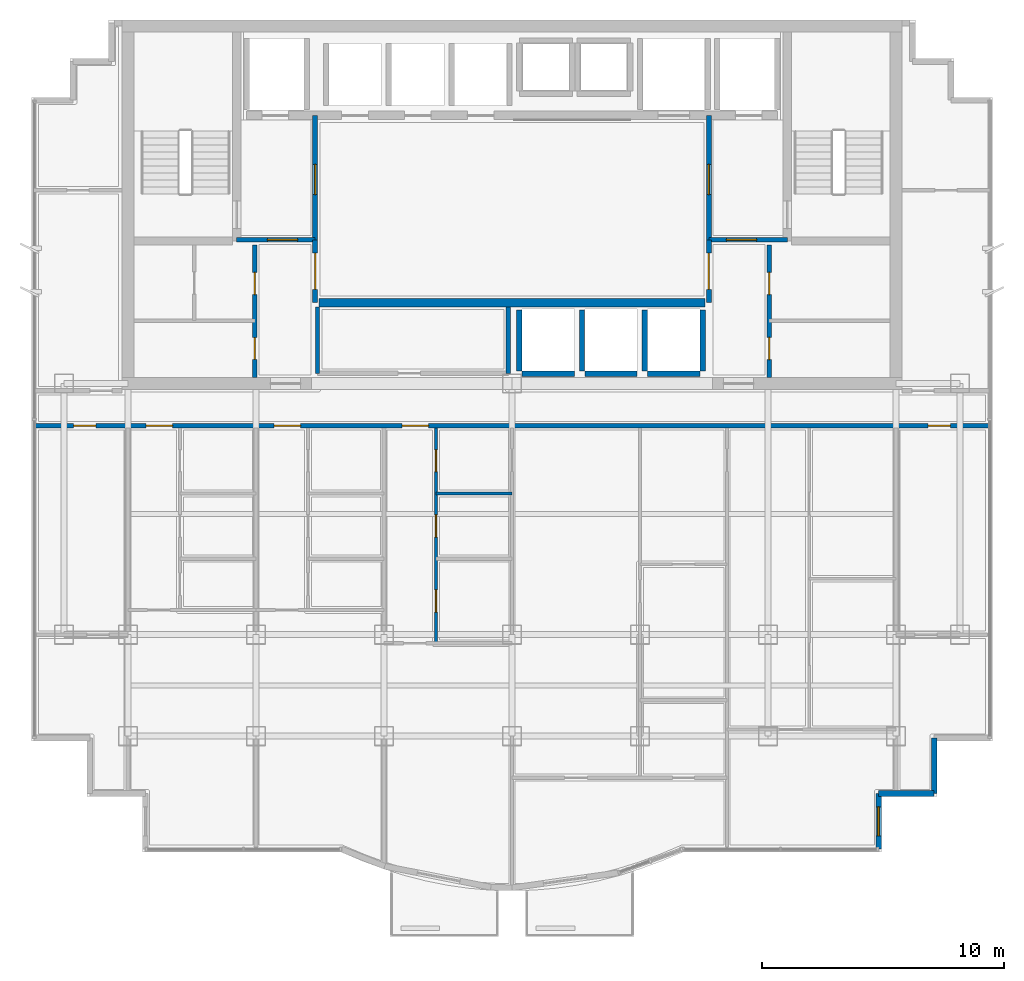
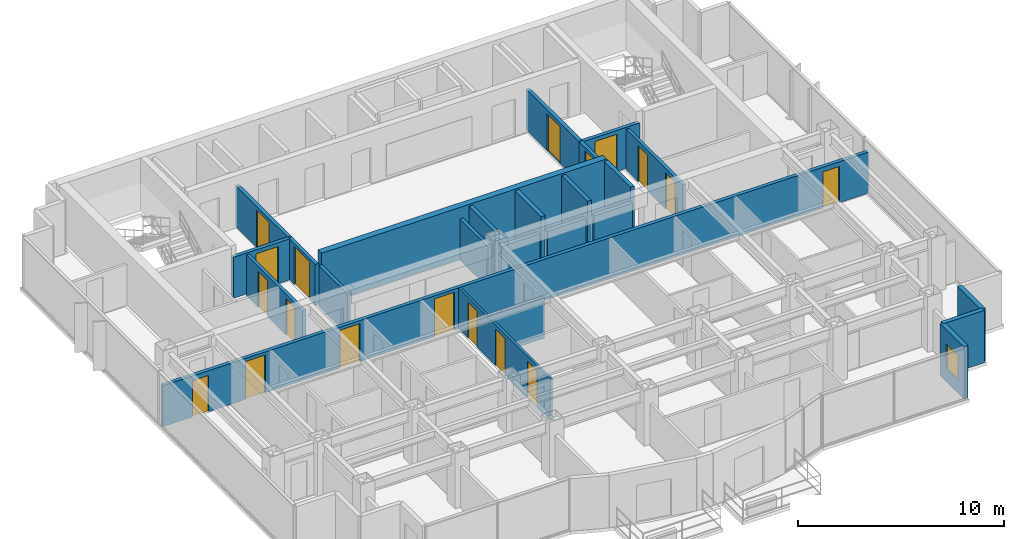
# One storey, part 8 of 12: 24 walls, 18 doors, 1 window, 19 openings.
"""IFC4 building model written with IfcOpenShell, lengths in metres."""

from ifc_helpers import new_model, si_unit, direction, frame, frame_2d, origin, place, context, subcontext, project, spatial, rectangle, extrude, material, layer, layer_set, type_object, element, fill, save


model = new_model("IFC4")

# Units and contexts
model_context = context("Model", 3, precision=1e-05, world=origin(), true_north=direction((0.0, 1.0)))
body_context = subcontext(model_context, "Body", "Model", "MODEL_VIEW")
ifc_project = project(units=[si_unit("LENGTHUNIT", "METRE"), si_unit("AREAUNIT", "SQUARE_METRE"), si_unit("VOLUMEUNIT", "CUBIC_METRE"), si_unit("PLANEANGLEUNIT", "RADIAN"), si_unit("MASSUNIT", "GRAM", prefix="KILO")], contexts=[model_context])

# Site, building, storey
site_placement = place(None, origin())
site = spatial("IfcSite", under=ifc_project, at=site_placement, CompositionType="ELEMENT")
building_placement = place(site_placement, origin())
building = spatial("IfcBuilding", under=site, at=building_placement, Name="Qianlan Lanfeng Residences", CompositionType="ELEMENT")
storey_placement = place(building_placement, frame((0.0, 0.0, 196.699951171875)))
storey = spatial("IfcBuildingStorey", under=building, at=storey_placement, Name="L53", CompositionType="ELEMENT", Elevation=196.699951171875)

# Wall
ifc_material_1 = material(Name="Concrete C49", Category="concrete")
ifc_layer_1 = layer(ifc_material_1, 0.35009765625)
ifc_layer_set_1 = layer_set([ifc_layer_1], Name="Concrete C49")
wall_type_1 = type_object("IfcWallType", Name="CW-RC-350", PredefinedType="SHEAR", material=ifc_layer_set_1)
wall_1_placement = place(storey_placement, frame((18.5, 28.550048828125, 0.0), z_axis=(0.0, 0.0, 1.0), x_axis=(1.0, 0.0, 0.0)))
element("IfcWall", 1, at=wall_1_placement, inside=storey, type_object=wall_type_1, Name="L53 Core Shear Wall LBS", PredefinedType="SHEAR", context=body_context, shape_type="SweptSolid", body=[
    extrude(rectangle(XDim=16.0, YDim=0.35009765625, at=frame_2d((8.0, 0.0))), origin(), (0.0, 0.0, 1.0), 3.110107421875),
])

# Wall, opening, window
ifc_material_2 = material(Name="Concrete C42", Category="concrete")
ifc_layer_2 = layer(ifc_material_2, 0.239990234375)
ifc_layer_set_2 = layer_set([ifc_layer_2], Name="Concrete C42")
wall_type_2 = type_object("IfcWallType", Name="EW-240", PredefinedType="SOLIDWALL", material=ifc_layer_set_2)
wall_2_placement = place(storey_placement, frame((41.679931640625, 5.919921875, 0.0), z_axis=(0.0, 0.0, 1.0), x_axis=(0.0, 1.0, 0.0)))
wall_2 = element("IfcWall", 2, at=wall_2_placement, inside=storey, type_object=wall_type_2, Name="L53 Exterior Facade Spandrel Wall 9", PredefinedType="SOLIDWALL", context=body_context, shape_type="SweptSolid", body=[
    extrude(rectangle(XDim=2.300048828125, YDim=0.239990234375, at=frame_2d((1.14990234375, 0.0))), origin(), (0.0, 0.0, 1.0), 3.110107421875),
])
opening_1_placement = place(wall_2_placement, frame((0.550048828125, 0.0, 0.75)))
opening_1 = element("IfcOpeningElement", 3, at=opening_1_placement, cuts=wall_2, Name="Opening W-03", PredefinedType="OPENING", context=body_context, shape_type="SweptSolid", body=[
    extrude(rectangle(XDim=1.199951171875, YDim=1.5, at=frame_2d((0.60009765625, 0.75))), frame((0.0, 0.1298828125, 0.0), z_axis=(0.0, -1.0, 0.0), x_axis=(1.0, 0.0, 0.0)), (0.0, 0.0, 1.0), 0.260009765625),
])
ifc_material_3 = material(Name="Anodised Bronze Aluminium Framed Double Glazing", Category="aluminium")
window_type = type_object("IfcWindowType", Name="W-03", PartitioningType="SINGLE_PANEL", PredefinedType="WINDOW", material=ifc_material_3)
window_placement = place(opening_1_placement, origin())
window = element("IfcWindow", 4, at=window_placement, inside=storey, type_object=window_type, Name="L53 Facade Punched Window W-03", OverallHeight=1.5, OverallWidth=1.199951171875, PartitioningType="SINGLE_PANEL", PredefinedType="WINDOW", context=body_context, shape_type="SweptSolid", body=[
    extrude(rectangle(XDim=1.199951171875, YDim=1.5, at=frame_2d((0.60009765625, 0.75))), frame((0.0, 0.030029296875, 0.0), z_axis=(0.0, -1.0, 0.0), x_axis=(1.0, 0.0, 0.0)), (0.0, 0.0, 1.0), 0.06005859375),
])
fill(opening_1, window)

# Walls
for number, where, z_axis, x_axis, name in (
    (5, (41.679931640625, 8.219970703125, 0.0), (0.0, 0.0, 1.0), (1.0, 0.0, 0.0), "L53 Exterior Facade Spandrel Wall 10"),
    (6, (43.97998046875, 8.219970703125, 0.0), (0.0, 0.0, 1.0), (0.0, 1.0, 0.0), "L53 Exterior Facade Spandrel Wall 11"),
):
    element("IfcWall", number, at=place(storey_placement, frame(where, z_axis=z_axis, x_axis=x_axis)), inside=storey, type_object=wall_type_2, Name=name, PredefinedType="SOLIDWALL", context=body_context, shape_type="SweptSolid", body=[
        extrude(rectangle(XDim=2.300048828125, YDim=0.239990234375, at=frame_2d((1.14990234375, 0.0))), origin(), (0.0, 0.0, 1.0), 3.110107421875),
    ])

# Wall, openings, doors
ifc_material_4 = material(Name="Moisture-Resistant Gypsum Partition 135 mm")
ifc_layer_3 = layer(ifc_material_4, 0.135009765625)
ifc_layer_set_3 = layer_set([ifc_layer_3], Name="Moisture-Resistant Gypsum Partition 135 mm")
wall_type_3 = type_object("IfcWallType", Name="PW-135", PredefinedType="PARTITIONING", material=ifc_layer_set_3)
wall_3_placement = place(storey_placement, frame((23.35009765625, 14.447998046875, 0.0), z_axis=(0.0, 0.0, 1.0), x_axis=(0.0, 1.0, 0.0)))
wall_3 = element("IfcWall", 7, at=wall_3_placement, inside=storey, type_object=wall_type_3, Name="L53 U03 Entry Hall Spine", PredefinedType="PARTITIONING", context=body_context, shape_type="SweptSolid", body=[
    extrude(rectangle(XDim=8.902099609375, YDim=0.135009765625, at=frame_2d((4.451171875, 0.0))), origin(), (0.0, 0.0, 1.0), 2.429931640625),
])
opening_2_placement = place(wall_3_placement, frame((1.291015625, 0.0, 0.0)))
opening_2 = element("IfcOpeningElement", 8, at=opening_2_placement, cuts=wall_3, Name="Opening L53-D31", PredefinedType="OPENING", context=body_context, shape_type="SweptSolid", body=[
    extrude(rectangle(XDim=0.919921875, YDim=2.14990234375, at=frame_2d((0.4599609375, 1.074951171875))), frame((0.0, 0.07763671875, 0.0), z_axis=(0.0, -1.0, 0.0), x_axis=(1.0, 0.0, 0.0)), (0.0, 0.0, 1.0), 0.155029296875),
])
opening_3_placement = place(wall_3_placement, frame((4.39208984375, 0.0, 0.0)))
opening_3 = element("IfcOpeningElement", 9, at=opening_3_placement, cuts=wall_3, Name="Opening L53-D32", PredefinedType="OPENING", context=body_context, shape_type="SweptSolid", body=[
    extrude(rectangle(XDim=0.919921875, YDim=2.14990234375, at=frame_2d((0.4599609375, 1.074951171875))), frame((0.0, 0.07763671875, 0.0), z_axis=(0.0, -1.0, 0.0), x_axis=(1.0, 0.0, 0.0)), (0.0, 0.0, 1.0), 0.155029296875),
])
opening_4_placement = place(wall_3_placement, frame((7.10205078125, 0.0, 0.0)))
opening_4 = element("IfcOpeningElement", 10, at=opening_4_placement, cuts=wall_3, Name="Opening L53-D33", PredefinedType="OPENING", context=body_context, shape_type="SweptSolid", body=[
    extrude(rectangle(XDim=0.89990234375, YDim=2.14990234375, at=frame_2d((0.449951171875, 1.074951171875))), frame((0.0, 0.07763671875, 0.0), z_axis=(0.0, -1.0, 0.0), x_axis=(1.0, 0.0, 0.0)), (0.0, 0.0, 1.0), 0.155029296875),
])
ifc_material_5 = material(Name="Glazed Timber Kitchen/Study Door", Category="wood")
door_type_1 = type_object("IfcDoorType", Name="DT-INT", OperationType="NOTDEFINED", PredefinedType="DOOR", material=ifc_material_5)
door_1_placement = place(opening_2_placement, origin())
door_1 = element("IfcDoor", 11, at=door_1_placement, inside=storey, type_object=door_type_1, Name="L53 U03 Study Door L53-D31 (DT-INT)", OperationType="SINGLE_SWING_LEFT", OverallHeight=2.14990234375, OverallWidth=0.919921875, PredefinedType="DOOR", context=body_context, shape_type="SweptSolid", body=[
    extrude(rectangle(XDim=0.919921875, YDim=2.14990234375, at=frame_2d((0.4599609375, 1.074951171875))), frame((0.0, 0.02490234375, 0.0), z_axis=(0.0, -1.0, 0.0), x_axis=(1.0, 0.0, 0.0)), (0.0, 0.0, 1.0), 0.050048828125),
])
fill(opening_2, door_1)
door_2_placement = place(opening_3_placement, origin())
door_2 = element("IfcDoor", 12, at=door_2_placement, inside=storey, type_object=door_type_1, Name="L53 U03 Kitchen Door L53-D32 (DT-INT)", OperationType="SINGLE_SWING_RIGHT", OverallHeight=2.14990234375, OverallWidth=0.919921875, PredefinedType="DOOR", context=body_context, shape_type="SweptSolid", body=[
    extrude(rectangle(XDim=0.919921875, YDim=2.14990234375, at=frame_2d((0.4599609375, 1.074951171875))), frame((0.0, 0.02490234375, 0.0), z_axis=(0.0, -1.0, 0.0), x_axis=(1.0, 0.0, 0.0)), (0.0, 0.0, 1.0), 0.050048828125),
])
fill(opening_3, door_2)
ifc_material_6 = material(Name="Moisture-Resistant Timber Leaf", Category="wood")
door_type_2 = type_object("IfcDoorType", Name="DT-WC", OperationType="NOTDEFINED", PredefinedType="DOOR", material=ifc_material_6)
door_3_placement = place(opening_4_placement, origin())
door_3 = element("IfcDoor", 13, at=door_3_placement, inside=storey, type_object=door_type_2, Name="L53 U03 Bathroom Door L53-D33 (DT-WC)", OperationType="SINGLE_SWING_LEFT", OverallHeight=2.14990234375, OverallWidth=0.89990234375, PredefinedType="DOOR", context=body_context, shape_type="SweptSolid", body=[
    extrude(rectangle(XDim=0.89990234375, YDim=2.14990234375, at=frame_2d((0.449951171875, 1.074951171875))), frame((0.0, 0.02490234375, 0.0), z_axis=(0.0, -1.0, 0.0), x_axis=(1.0, 0.0, 0.0)), (0.0, 0.0, 1.0), 0.050048828125),
])
fill(opening_4, door_3)

# Wall
wall_4_placement = place(storey_placement, frame((23.35009765625, 20.64990234375, 0.0), z_axis=(0.0, 0.0, 1.0), x_axis=(1.0, 0.0, 0.0)))
element("IfcWall", 14, at=wall_4_placement, inside=storey, type_object=wall_type_3, Name="L53 U03 Bathroom South Wall", PredefinedType="PARTITIONING", context=body_context, shape_type="SweptSolid", body=[
    extrude(rectangle(XDim=3.14990234375, YDim=0.135009765625, at=frame_2d((1.574951171875, 0.0))), origin(), (0.0, 0.0, 1.0), 2.429931640625),
])

# Wall, openings, doors
ifc_material_7 = material(Name="Double-Layer Acoustic Gypsum Stud Wall 180 mm")
ifc_layer_4 = layer(ifc_material_7, 0.179931640625)
ifc_layer_set_4 = layer_set([ifc_layer_4], Name="Double-Layer Acoustic Gypsum Stud Wall 180 mm")
wall_type_4 = type_object("IfcWallType", Name="PW-180", PredefinedType="PARTITIONING", material=ifc_layer_set_4)
wall_5_placement = place(storey_placement, frame((15.85009765625, 25.449951171875, 0.0), z_axis=(0.0, 0.0, 1.0), x_axis=(0.0, 1.0, 0.0)))
wall_5 = element("IfcWall", 15, at=wall_5_placement, inside=storey, type_object=wall_type_4, Name="L53 Core West Service Room Wall", PredefinedType="PARTITIONING", context=body_context, shape_type="SweptSolid", body=[
    extrude(rectangle(XDim=5.47509765625, YDim=0.179931640625, at=frame_2d((2.737548828125, 0.0))), origin(), (0.0, 0.0, 1.0), 2.429931640625),
])
opening_5_placement = place(wall_5_placement, frame((0.75, 0.0, 0.0)))
opening_5 = element("IfcOpeningElement", 16, at=opening_5_placement, cuts=wall_5, Name="Opening L53-D09", PredefinedType="OPENING", context=body_context, shape_type="SweptSolid", body=[
    extrude(rectangle(XDim=0.89990234375, YDim=2.14990234375, at=frame_2d((0.449951171875, 1.074951171875))), frame((0.0, 0.10009765625, 0.0), z_axis=(0.0, -1.0, 0.0), x_axis=(1.0, 0.0, 0.0)), (0.0, 0.0, 1.0), 0.199951171875),
])
opening_6_placement = place(wall_5_placement, frame((3.427001953125, 0.0, 0.0)))
opening_6 = element("IfcOpeningElement", 17, at=opening_6_placement, cuts=wall_5, Name="Opening L53-D10", PredefinedType="OPENING", context=body_context, shape_type="SweptSolid", body=[
    extrude(rectangle(XDim=0.919921875, YDim=2.14990234375, at=frame_2d((0.4599609375, 1.074951171875))), frame((0.0, 0.10009765625, 0.0), z_axis=(0.0, -1.0, 0.0), x_axis=(1.0, 0.0, 0.0)), (0.0, 0.0, 1.0), 0.199951171875),
])
door_4_placement = place(opening_6_placement, origin())
door_4 = element("IfcDoor", 18, at=door_4_placement, inside=storey, type_object=door_type_1, Name="L53 Janitor Hall Door L53-D10 (DT-INT)", OperationType="SINGLE_SWING_RIGHT", OverallHeight=2.14990234375, OverallWidth=0.919921875, PredefinedType="DOOR", context=body_context, shape_type="SweptSolid", body=[
    extrude(rectangle(XDim=0.919921875, YDim=2.14990234375, at=frame_2d((0.4599609375, 1.074951171875))), frame((0.0, 0.02490234375, 0.0), z_axis=(0.0, -1.0, 0.0), x_axis=(1.0, 0.0, 0.0)), (0.0, 0.0, 1.0), 0.050048828125),
])
fill(opening_6, door_4)
door_5_placement = place(opening_5_placement, origin())
door_5 = element("IfcDoor", 19, at=door_5_placement, inside=storey, type_object=door_type_2, Name="L53 Staff WC Door L53-D09 (DT-WC)", OperationType="SINGLE_SWING_LEFT", OverallHeight=2.14990234375, OverallWidth=0.89990234375, PredefinedType="DOOR", context=body_context, shape_type="SweptSolid", body=[
    extrude(rectangle(XDim=0.89990234375, YDim=2.14990234375, at=frame_2d((0.449951171875, 1.074951171875))), frame((0.0, 0.02490234375, 0.0), z_axis=(0.0, -1.0, 0.0), x_axis=(1.0, 0.0, 0.0)), (0.0, 0.0, 1.0), 0.050048828125),
])
fill(opening_5, door_5)

wall_6_placement = place(storey_placement, frame((37.14990234375, 25.449951171875, 0.0), z_axis=(0.0, 0.0, 1.0), x_axis=(0.0, 1.0, 0.0)))
wall_6 = element("IfcWall", 20, at=wall_6_placement, inside=storey, type_object=wall_type_4, Name="L53 Core East Service Room Wall", PredefinedType="PARTITIONING", context=body_context, shape_type="SweptSolid", body=[
    extrude(rectangle(XDim=5.47509765625, YDim=0.179931640625, at=frame_2d((2.737548828125, 0.0))), origin(), (0.0, 0.0, 1.0), 2.429931640625),
])
opening_7_placement = place(wall_6_placement, frame((0.739990234375, 0.0, 0.0)))
opening_7 = element("IfcOpeningElement", 21, at=opening_7_placement, cuts=wall_6, Name="Opening L53-D12", PredefinedType="OPENING", context=body_context, shape_type="SweptSolid", body=[
    extrude(rectangle(XDim=0.919921875, YDim=2.14990234375, at=frame_2d((0.4599609375, 1.074951171875))), frame((0.0, 0.10009765625, 0.0), z_axis=(0.0, -1.0, 0.0), x_axis=(1.0, 0.0, 0.0)), (0.0, 0.0, 1.0), 0.199951171875),
])
opening_8_placement = place(wall_6_placement, frame((3.427001953125, 0.0, 0.0)))
opening_8 = element("IfcOpeningElement", 22, at=opening_8_placement, cuts=wall_6, Name="Opening L53-D13", PredefinedType="OPENING", context=body_context, shape_type="SweptSolid", body=[
    extrude(rectangle(XDim=0.919921875, YDim=2.14990234375, at=frame_2d((0.4599609375, 1.074951171875))), frame((0.0, 0.10009765625, 0.0), z_axis=(0.0, -1.0, 0.0), x_axis=(1.0, 0.0, 0.0)), (0.0, 0.0, 1.0), 0.199951171875),
])
door_6_placement = place(opening_7_placement, origin())
door_6 = element("IfcDoor", 23, at=door_6_placement, inside=storey, type_object=door_type_1, Name="L53 Mail Closet Door L53-D12 (DT-INT)", OperationType="SINGLE_SWING_LEFT", OverallHeight=2.14990234375, OverallWidth=0.919921875, PredefinedType="DOOR", context=body_context, shape_type="SweptSolid", body=[
    extrude(rectangle(XDim=0.919921875, YDim=2.14990234375, at=frame_2d((0.4599609375, 1.074951171875))), frame((0.0, 0.02490234375, 0.0), z_axis=(0.0, -1.0, 0.0), x_axis=(1.0, 0.0, 0.0)), (0.0, 0.0, 1.0), 0.050048828125),
])
fill(opening_7, door_6)
door_7_placement = place(opening_8_placement, origin())
door_7 = element("IfcDoor", 24, at=door_7_placement, inside=storey, type_object=door_type_1, Name="L53 Refuse Closet Door L53-D13 (DT-INT)", OperationType="SINGLE_SWING_LEFT", OverallHeight=2.14990234375, OverallWidth=0.919921875, PredefinedType="DOOR", context=body_context, shape_type="SweptSolid", body=[
    extrude(rectangle(XDim=0.919921875, YDim=2.14990234375, at=frame_2d((0.4599609375, 1.074951171875))), frame((0.0, 0.02490234375, 0.0), z_axis=(0.0, -1.0, 0.0), x_axis=(1.0, 0.0, 0.0)), (0.0, 0.0, 1.0), 0.050048828125),
])
fill(opening_8, door_7)

# Walls
for number, where, z_axis, x_axis, name in (
    (25, (18.449951171875, 25.6201171875, 0.0), (0.0, 0.0, 1.0), (0.0, 1.0, 0.0), "L53 Reclaimed Low-Bank Room West Wall"),
    (26, (26.35009765625, 25.6201171875, 0.0), (0.0, 0.0, 1.0), (0.0, 1.0, 0.0), "L53 Reclaimed Low-Bank Room East Wall"),
):
    element("IfcWall", number, at=place(storey_placement, frame(where, z_axis=z_axis, x_axis=x_axis)), inside=storey, type_object=wall_type_4, Name=name, PredefinedType="PARTITIONING", context=body_context, shape_type="SweptSolid", body=[
        extrude(rectangle(XDim=2.7548828125, YDim=0.179931640625, at=frame_2d((1.37744140625, 0.0))), origin(), (0.0, 0.0, 1.0), 2.429931640625),
    ])

# Wall, opening, door
ifc_material_8 = material(Name="Autoclaved Aerated Concrete Blockwork 200 mm", Category="masonry")
ifc_layer_5 = layer(ifc_material_8, 0.199951171875)
ifc_layer_set_5 = layer_set([ifc_layer_5], Name="Autoclaved Aerated Concrete Blockwork 200 mm")
wall_type_5 = type_object("IfcWallType", Name="PW-200", PredefinedType="PARTITIONING", material=ifc_layer_set_5)
wall_7_placement = place(storey_placement, frame((15.10009765625, 31.14990234375, 0.0), z_axis=(0.0, 0.0, 1.0), x_axis=(1.0, 0.0, 0.0)))
wall_7 = element("IfcWall", 27, at=wall_7_placement, inside=storey, type_object=wall_type_5, Name="L53 Firefighting Lobby 1 South Wall", PredefinedType="PARTITIONING", context=body_context, shape_type="SweptSolid", body=[
    extrude(rectangle(XDim=3.25, YDim=0.199951171875, at=frame_2d((1.625, 0.0))), origin(), (0.0, 0.0, 1.0), 2.429931640625),
])
opening_9_placement = place(wall_7_placement, frame((1.27490234375, 0.0, 0.0)))
opening_9 = element("IfcOpeningElement", 28, at=opening_9_placement, cuts=wall_7, Name="Opening L53-D03", PredefinedType="OPENING", context=body_context, shape_type="SweptSolid", body=[
    extrude(rectangle(XDim=1.25, YDim=2.199951171875, at=frame_2d((0.625, 1.10009765625))), frame((0.0, 0.10986328125, 0.0), z_axis=(0.0, -1.0, 0.0), x_axis=(1.0, 0.0, 0.0)), (0.0, 0.0, 1.0), 0.219970703125),
])
ifc_material_9 = material(Name="Painted Galvanised Steel Fire Door", Category="steel")
door_type_3 = type_object("IfcDoorType", Name="DT-FFL", OperationType="NOTDEFINED", PredefinedType="DOOR", material=ifc_material_9)
door_8_placement = place(opening_9_placement, origin())
door_8 = element("IfcDoor", 29, at=door_8_placement, inside=storey, type_object=door_type_3, Name="L53 Firefighting Lobby 1 Entry Door L53-D03 (DT-FFL)", OperationType="SINGLE_SWING_LEFT", OverallHeight=2.199951171875, OverallWidth=1.25, PredefinedType="DOOR", context=body_context, shape_type="SweptSolid", body=[
    extrude(rectangle(XDim=1.25, YDim=2.199951171875, at=frame_2d((0.625, 1.10009765625))), frame((0.0, 0.02490234375, 0.0), z_axis=(0.0, -1.0, 0.0), x_axis=(1.0, 0.0, 0.0)), (0.0, 0.0, 1.0), 0.050048828125),
])
fill(opening_9, door_8)

wall_8_placement = place(storey_placement, frame((18.35009765625, 31.14990234375, 0.0), z_axis=(0.0, 0.0, 1.0), x_axis=(0.0, 1.0, 0.0)))
wall_8 = element("IfcWall", 30, at=wall_8_placement, inside=storey, type_object=wall_type_5, Name="L53 Firefighting Lobby 1 East Wall", PredefinedType="PARTITIONING", context=body_context, shape_type="SweptSolid", body=[
    extrude(rectangle(XDim=5.150146484375, YDim=0.199951171875, at=frame_2d((2.5751953125, 0.0))), origin(), (0.0, 0.0, 1.0), 2.429931640625),
])
opening_10_placement = place(wall_8_placement, frame((1.875, 0.0, 0.0)))
opening_10 = element("IfcOpeningElement", 31, at=opening_10_placement, cuts=wall_8, Name="Opening L53-D04", PredefinedType="OPENING", context=body_context, shape_type="SweptSolid", body=[
    extrude(rectangle(XDim=1.25, YDim=2.199951171875, at=frame_2d((0.625, 1.10009765625))), frame((0.0, 0.10986328125, 0.0), z_axis=(0.0, -1.0, 0.0), x_axis=(1.0, 0.0, 0.0)), (0.0, 0.0, 1.0), 0.219970703125),
])
door_9_placement = place(opening_10_placement, origin())
door_9 = element("IfcDoor", 32, at=door_9_placement, inside=storey, type_object=door_type_3, Name="L53 Firefighting Lobby 1 Lift Lobby Door L53-D04 (DT-FFL)", OperationType="SINGLE_SWING_RIGHT", OverallHeight=2.199951171875, OverallWidth=1.25, PredefinedType="DOOR", context=body_context, shape_type="SweptSolid", body=[
    extrude(rectangle(XDim=1.25, YDim=2.199951171875, at=frame_2d((0.625, 1.10009765625))), frame((0.0, 0.02490234375, 0.0), z_axis=(0.0, -1.0, 0.0), x_axis=(1.0, 0.0, 0.0)), (0.0, 0.0, 1.0), 0.050048828125),
])
fill(opening_10, door_9)

wall_9_placement = place(storey_placement, frame((34.64990234375, 31.14990234375, 0.0), z_axis=(0.0, 0.0, 1.0), x_axis=(1.0, 0.0, 0.0)))
wall_9 = element("IfcWall", 33, at=wall_9_placement, inside=storey, type_object=wall_type_5, Name="L53 Firefighting Lobby 2 South Wall", PredefinedType="PARTITIONING", context=body_context, shape_type="SweptSolid", body=[
    extrude(rectangle(XDim=3.25, YDim=0.199951171875, at=frame_2d((1.625, 0.0))), origin(), (0.0, 0.0, 1.0), 2.429931640625),
])
opening_11_placement = place(wall_9_placement, frame((0.72509765625, 0.0, 0.0)))
opening_11 = element("IfcOpeningElement", 34, at=opening_11_placement, cuts=wall_9, Name="Opening L53-D05", PredefinedType="OPENING", context=body_context, shape_type="SweptSolid", body=[
    extrude(rectangle(XDim=1.25, YDim=2.199951171875, at=frame_2d((0.625, 1.10009765625))), frame((0.0, 0.10986328125, 0.0), z_axis=(0.0, -1.0, 0.0), x_axis=(1.0, 0.0, 0.0)), (0.0, 0.0, 1.0), 0.219970703125),
])
door_10_placement = place(opening_11_placement, origin())
door_10 = element("IfcDoor", 35, at=door_10_placement, inside=storey, type_object=door_type_3, Name="L53 Firefighting Lobby 2 Entry Door L53-D05 (DT-FFL)", OperationType="SINGLE_SWING_RIGHT", OverallHeight=2.199951171875, OverallWidth=1.25, PredefinedType="DOOR", context=body_context, shape_type="SweptSolid", body=[
    extrude(rectangle(XDim=1.25, YDim=2.199951171875, at=frame_2d((0.625, 1.10009765625))), frame((0.0, 0.02490234375, 0.0), z_axis=(0.0, -1.0, 0.0), x_axis=(1.0, 0.0, 0.0)), (0.0, 0.0, 1.0), 0.050048828125),
])
fill(opening_11, door_10)

wall_10_placement = place(storey_placement, frame((34.64990234375, 31.14990234375, 0.0), z_axis=(0.0, 0.0, 1.0), x_axis=(0.0, 1.0, 0.0)))
wall_10 = element("IfcWall", 36, at=wall_10_placement, inside=storey, type_object=wall_type_5, Name="L53 Firefighting Lobby 2 West Wall", PredefinedType="PARTITIONING", context=body_context, shape_type="SweptSolid", body=[
    extrude(rectangle(XDim=5.150146484375, YDim=0.199951171875, at=frame_2d((2.5751953125, 0.0))), origin(), (0.0, 0.0, 1.0), 2.429931640625),
])
opening_12_placement = place(wall_10_placement, frame((1.875, 0.0, 0.0)))
opening_12 = element("IfcOpeningElement", 37, at=opening_12_placement, cuts=wall_10, Name="Opening L53-D06", PredefinedType="OPENING", context=body_context, shape_type="SweptSolid", body=[
    extrude(rectangle(XDim=1.25, YDim=2.199951171875, at=frame_2d((0.625, 1.10009765625))), frame((0.0, 0.10986328125, 0.0), z_axis=(0.0, -1.0, 0.0), x_axis=(1.0, 0.0, 0.0)), (0.0, 0.0, 1.0), 0.219970703125),
])
door_11_placement = place(opening_12_placement, origin())
door_11 = element("IfcDoor", 38, at=door_11_placement, inside=storey, type_object=door_type_3, Name="L53 Firefighting Lobby 2 Lift Lobby Door L53-D06 (DT-FFL)", OperationType="SINGLE_SWING_RIGHT", OverallHeight=2.199951171875, OverallWidth=1.25, PredefinedType="DOOR", context=body_context, shape_type="SweptSolid", body=[
    extrude(rectangle(XDim=1.25, YDim=2.199951171875, at=frame_2d((0.625, 1.10009765625))), frame((0.0, 0.02490234375, 0.0), z_axis=(0.0, -1.0, 0.0), x_axis=(1.0, 0.0, 0.0)), (0.0, 0.0, 1.0), 0.050048828125),
])
fill(opening_12, door_11)

wall_11_placement = place(storey_placement, frame((18.35009765625, 28.550048828125, 0.0), z_axis=(0.0, 0.0, 1.0), x_axis=(0.0, 1.0, 0.0)))
wall_11 = element("IfcWall", 39, at=wall_11_placement, inside=storey, type_object=wall_type_5, Name="L53 Lift Lobby West Connector Wall", PredefinedType="PARTITIONING", context=body_context, shape_type="SweptSolid", body=[
    extrude(rectangle(XDim=2.599853515625, YDim=0.199951171875, at=frame_2d((1.2998046875, 0.0))), origin(), (0.0, 0.0, 1.0), 2.429931640625),
])
opening_13_placement = place(wall_11_placement, frame((0.550048828125, 0.0, 0.0)))
opening_13 = element("IfcOpeningElement", 40, at=opening_13_placement, cuts=wall_11, Name="Opening L53-D14", PredefinedType="OPENING", context=body_context, shape_type="SweptSolid", body=[
    extrude(rectangle(XDim=1.5, YDim=2.25, at=frame_2d((0.75, 1.125))), frame((0.0, 0.10986328125, 0.0), z_axis=(0.0, -1.0, 0.0), x_axis=(1.0, 0.0, 0.0)), (0.0, 0.0, 1.0), 0.219970703125),
])
ifc_material_10 = material(Name="Timber Veneer Acoustic Fire Door", Category="wood")
door_type_4 = type_object("IfcDoorType", Name="DT-COR1", OperationType="NOTDEFINED", PredefinedType="DOOR", material=ifc_material_10)
door_12_placement = place(opening_13_placement, origin())
door_12 = element("IfcDoor", 41, at=door_12_placement, inside=storey, type_object=door_type_4, Name="L53 Lift Lobby West Portal Door L53-D14 (DT-COR1)", OperationType="DOUBLE_DOOR_SINGLE_SWING", OverallHeight=2.25, OverallWidth=1.5, PredefinedType="DOOR", context=body_context, shape_type="SweptSolid", body=[
    extrude(rectangle(XDim=1.5, YDim=2.25, at=frame_2d((0.75, 1.125))), frame((0.0, 0.02490234375, 0.0), z_axis=(0.0, -1.0, 0.0), x_axis=(1.0, 0.0, 0.0)), (0.0, 0.0, 1.0), 0.050048828125),
])
fill(opening_13, door_12)

wall_12_placement = place(storey_placement, frame((34.64990234375, 28.550048828125, 0.0), z_axis=(0.0, 0.0, 1.0), x_axis=(0.0, 1.0, 0.0)))
wall_12 = element("IfcWall", 42, at=wall_12_placement, inside=storey, type_object=wall_type_5, Name="L53 Lift Lobby East Connector Wall", PredefinedType="PARTITIONING", context=body_context, shape_type="SweptSolid", body=[
    extrude(rectangle(XDim=2.599853515625, YDim=0.199951171875, at=frame_2d((1.2998046875, 0.0))), origin(), (0.0, 0.0, 1.0), 2.429931640625),
])
opening_14_placement = place(wall_12_placement, frame((0.550048828125, 0.0, 0.0)))
opening_14 = element("IfcOpeningElement", 43, at=opening_14_placement, cuts=wall_12, Name="Opening L53-D15", PredefinedType="OPENING", context=body_context, shape_type="SweptSolid", body=[
    extrude(rectangle(XDim=1.5, YDim=2.25, at=frame_2d((0.75, 1.125))), frame((0.0, 0.10986328125, 0.0), z_axis=(0.0, -1.0, 0.0), x_axis=(1.0, 0.0, 0.0)), (0.0, 0.0, 1.0), 0.219970703125),
])
door_13_placement = place(opening_14_placement, frame((1.5, 0.0, 0.0), z_axis=(0.0, 0.0, 1.0), x_axis=(-1.0, 0.0, 0.0)))
door_13 = element("IfcDoor", 44, at=door_13_placement, inside=storey, type_object=door_type_4, Name="L53 Lift Lobby East Portal Door L53-D15 (DT-COR1)", OperationType="DOUBLE_DOOR_SINGLE_SWING", OverallHeight=2.25, OverallWidth=1.5, PredefinedType="DOOR", context=body_context, shape_type="SweptSolid", body=[
    extrude(rectangle(XDim=1.5, YDim=2.25, at=frame_2d((0.75, 1.125))), frame((0.0, 0.02490234375, 0.0), z_axis=(0.0, -1.0, 0.0), x_axis=(1.0, 0.0, 0.0)), (0.0, 0.0, 1.0), 0.050048828125),
])
fill(opening_14, door_13)

# Wall, openings, doors
wall_13_placement = place(storey_placement, frame((6.719970703125, 23.449951171875, 0.0), z_axis=(0.0, 0.0, 1.0), x_axis=(1.0, 0.0, 0.0)))
wall_13 = element("IfcWall", 45, at=wall_13_placement, inside=storey, type_object=wall_type_5, Name="L53 Residential Corridor South Fire Wall", PredefinedType="PARTITIONING", context=body_context, shape_type="SweptSolid", body=[
    extrude(rectangle(XDim=39.56005859375, YDim=0.199951171875, at=frame_2d((19.780029296875, 0.0))), origin(), (0.0, 0.0, 1.0), 2.429931640625),
])
opening_15_placement = place(wall_13_placement, frame((4.6298828125, 0.0, 0.0)))
opening_15 = element("IfcOpeningElement", 46, at=opening_15_placement, cuts=wall_13, Name="Opening L53-D17", PredefinedType="OPENING", context=body_context, shape_type="SweptSolid", body=[
    extrude(rectangle(XDim=1.10009765625, YDim=2.25, at=frame_2d((0.550048828125, 1.125))), frame((0.0, 0.10986328125, 0.0), z_axis=(0.0, -1.0, 0.0), x_axis=(1.0, 0.0, 0.0)), (0.0, 0.0, 1.0), 0.219970703125),
])
opening_16_placement = place(wall_13_placement, frame((9.929931640625, 0.0, 0.0)))
opening_16 = element("IfcOpeningElement", 47, at=opening_16_placement, cuts=wall_13, Name="Opening L53-D22", PredefinedType="OPENING", context=body_context, shape_type="SweptSolid", body=[
    extrude(rectangle(XDim=1.10009765625, YDim=2.25, at=frame_2d((0.550048828125, 1.125))), frame((0.0, 0.10986328125, 0.0), z_axis=(0.0, -1.0, 0.0), x_axis=(1.0, 0.0, 0.0)), (0.0, 0.0, 1.0), 0.219970703125),
])
opening_17_placement = place(wall_13_placement, frame((15.22998046875, 0.0, 0.0)))
opening_17 = element("IfcOpeningElement", 48, at=opening_17_placement, cuts=wall_13, Name="Opening L53-D27", PredefinedType="OPENING", context=body_context, shape_type="SweptSolid", body=[
    extrude(rectangle(XDim=1.10009765625, YDim=2.25, at=frame_2d((0.550048828125, 1.125))), frame((0.0, 0.10986328125, 0.0), z_axis=(0.0, -1.0, 0.0), x_axis=(1.0, 0.0, 0.0)), (0.0, 0.0, 1.0), 0.219970703125),
])
opening_18_placement = place(wall_13_placement, frame((1.635009765625, 0.0, 0.0)))
opening_18 = element("IfcOpeningElement", 49, at=opening_18_placement, cuts=wall_13, Name="Opening L53-D42", PredefinedType="OPENING", context=body_context, shape_type="SweptSolid", body=[
    extrude(rectangle(XDim=0.919921875, YDim=2.14990234375, at=frame_2d((0.4599609375, 1.074951171875))), frame((0.0, 0.10986328125, 0.0), z_axis=(0.0, -1.0, 0.0), x_axis=(1.0, 0.0, 0.0)), (0.0, 0.0, 1.0), 0.219970703125),
])
opening_19_placement = place(wall_13_placement, frame((37.0048828125, 0.0, 0.0)))
opening_19 = element("IfcOpeningElement", 50, at=opening_19_placement, cuts=wall_13, Name="Opening L53-D44", PredefinedType="OPENING", context=body_context, shape_type="SweptSolid", body=[
    extrude(rectangle(XDim=0.919921875, YDim=2.14990234375, at=frame_2d((0.4599609375, 1.074951171875))), frame((0.0, 0.10986328125, 0.0), z_axis=(0.0, -1.0, 0.0), x_axis=(1.0, 0.0, 0.0)), (0.0, 0.0, 1.0), 0.219970703125),
])
door_14_placement = place(opening_18_placement, origin())
door_14 = element("IfcDoor", 51, at=door_14_placement, inside=storey, type_object=door_type_1, Name="L53 SWP Corridor Door L53-D42 (DT-INT)", OperationType="SINGLE_SWING_RIGHT", OverallHeight=2.14990234375, OverallWidth=0.919921875, PredefinedType="DOOR", context=body_context, shape_type="SweptSolid", body=[
    extrude(rectangle(XDim=0.919921875, YDim=2.14990234375, at=frame_2d((0.4599609375, 1.074951171875))), frame((0.0, 0.02490234375, 0.0), z_axis=(0.0, -1.0, 0.0), x_axis=(1.0, 0.0, 0.0)), (0.0, 0.0, 1.0), 0.050048828125),
])
fill(opening_18, door_14)
door_15_placement = place(opening_19_placement, origin())
door_15 = element("IfcDoor", 52, at=door_15_placement, inside=storey, type_object=door_type_1, Name="L53 SEP Corridor Door L53-D44 (DT-INT)", OperationType="SINGLE_SWING_RIGHT", OverallHeight=2.14990234375, OverallWidth=0.919921875, PredefinedType="DOOR", context=body_context, shape_type="SweptSolid", body=[
    extrude(rectangle(XDim=0.919921875, YDim=2.14990234375, at=frame_2d((0.4599609375, 1.074951171875))), frame((0.0, 0.02490234375, 0.0), z_axis=(0.0, -1.0, 0.0), x_axis=(1.0, 0.0, 0.0)), (0.0, 0.0, 1.0), 0.050048828125),
])
fill(opening_19, door_15)
ifc_material_11 = material(Name="Solid-Core Oak Veneer Fire Door")
door_type_5 = type_object("IfcDoorType", Name="DT-UNIT", OperationType="NOTDEFINED", PredefinedType="DOOR", material=ifc_material_11)
door_16_placement = place(opening_15_placement, frame((1.10009765625, 0.0, 0.0), z_axis=(0.0, 0.0, 1.0), x_axis=(-1.0, 0.0, 0.0)))
door_16 = element("IfcDoor", 53, at=door_16_placement, inside=storey, type_object=door_type_5, Name="L53 Apartment U01 Entrance Door L53-D17 (DT-UNIT)", OperationType="SINGLE_SWING_RIGHT", OverallHeight=2.25, OverallWidth=1.10009765625, PredefinedType="DOOR", context=body_context, shape_type="SweptSolid", body=[
    extrude(rectangle(XDim=1.10009765625, YDim=2.25, at=frame_2d((0.550048828125, 1.125))), frame((0.0, 0.02490234375, 0.0), z_axis=(0.0, -1.0, 0.0), x_axis=(1.0, 0.0, 0.0)), (0.0, 0.0, 1.0), 0.050048828125),
])
fill(opening_15, door_16)
door_17_placement = place(opening_16_placement, origin())
door_17 = element("IfcDoor", 54, at=door_17_placement, inside=storey, type_object=door_type_5, Name="L53 Apartment U02 Entrance Door L53-D22 (DT-UNIT)", OperationType="SINGLE_SWING_RIGHT", OverallHeight=2.25, OverallWidth=1.10009765625, PredefinedType="DOOR", context=body_context, shape_type="SweptSolid", body=[
    extrude(rectangle(XDim=1.10009765625, YDim=2.25, at=frame_2d((0.550048828125, 1.125))), frame((0.0, 0.02490234375, 0.0), z_axis=(0.0, -1.0, 0.0), x_axis=(1.0, 0.0, 0.0)), (0.0, 0.0, 1.0), 0.050048828125),
])
fill(opening_16, door_17)
door_18_placement = place(opening_17_placement, frame((1.10009765625, 0.0, 0.0), z_axis=(0.0, 0.0, 1.0), x_axis=(-1.0, 0.0, 0.0)))
door_18 = element("IfcDoor", 55, at=door_18_placement, inside=storey, type_object=door_type_5, Name="L53 Apartment U03 Entrance Door L53-D27 (DT-UNIT)", OperationType="SINGLE_SWING_RIGHT", OverallHeight=2.25, OverallWidth=1.10009765625, PredefinedType="DOOR", context=body_context, shape_type="SweptSolid", body=[
    extrude(rectangle(XDim=1.10009765625, YDim=2.25, at=frame_2d((0.550048828125, 1.125))), frame((0.0, 0.02490234375, 0.0), z_axis=(0.0, -1.0, 0.0), x_axis=(1.0, 0.0, 0.0)), (0.0, 0.0, 1.0), 0.050048828125),
])
fill(opening_17, door_18)

# Walls
ifc_layer_6 = layer(ifc_material_1, 0.219970703125)
ifc_layer_set_6 = layer_set([ifc_layer_6], Name="Concrete C49")
wall_type_6 = type_object("IfcWallType", Name="SHW-220", PredefinedType="SOLIDWALL", material=ifc_layer_set_6)
wall_14_placement = place(storey_placement, frame((26.800048828125, 25.719970703125, 0.0), z_axis=(0.0, 0.0, 1.0), x_axis=(0.0, 1.0, 0.0)))
element("IfcWall", 56, at=wall_14_placement, inside=storey, type_object=wall_type_6, Name="L53 Lift PL-M1 Shaft Wall W", PredefinedType="SOLIDWALL", context=body_context, shape_type="SweptSolid", body=[
    extrude(rectangle(XDim=2.530029296875, YDim=0.219970703125, at=frame_2d((1.26513671875, 0.0))), origin(), (0.0, 0.0, 1.0), 3.110107421875),
])
wall_15_placement = place(storey_placement, frame((26.919921875, 25.60009765625, 0.0), z_axis=(0.0, 0.0, 1.0), x_axis=(1.0, 0.0, 0.0)))
element("IfcWall", 57, at=wall_15_placement, inside=storey, type_object=wall_type_6, Name="L53 Lift PL-M1 Shaft Back Wall S", PredefinedType="SOLIDWALL", context=body_context, shape_type="SweptSolid", body=[
    extrude(rectangle(XDim=2.16015625, YDim=0.219970703125, at=frame_2d((1.080078125, 0.0))), origin(), (0.0, 0.0, 1.0), 2.304931640625),
])
wall_16_placement = place(storey_placement, frame((29.39990234375, 25.719970703125, 0.0), z_axis=(0.0, 0.0, 1.0), x_axis=(0.0, 1.0, 0.0)))
element("IfcWall", 58, at=wall_16_placement, inside=storey, type_object=wall_type_6, Name="L53 Lift PL-M2 Shaft Wall W", PredefinedType="SOLIDWALL", context=body_context, shape_type="SweptSolid", body=[
    extrude(rectangle(XDim=2.530029296875, YDim=0.219970703125, at=frame_2d((1.26513671875, 0.0))), origin(), (0.0, 0.0, 1.0), 3.110107421875),
])
wall_17_placement = place(storey_placement, frame((29.52001953125, 25.60009765625, 0.0), z_axis=(0.0, 0.0, 1.0), x_axis=(1.0, 0.0, 0.0)))
element("IfcWall", 59, at=wall_17_placement, inside=storey, type_object=wall_type_6, Name="L53 Lift PL-M2 Shaft Back Wall S", PredefinedType="SOLIDWALL", context=body_context, shape_type="SweptSolid", body=[
    extrude(rectangle(XDim=2.159912109375, YDim=0.219970703125, at=frame_2d((1.080078125, 0.0))), origin(), (0.0, 0.0, 1.0), 2.304931640625),
])
for number, where, z_axis, x_axis, name in (
    (60, (32.0, 25.719970703125, 0.0), (0.0, 0.0, 1.0), (0.0, 1.0, 0.0), "L53 Lift PL-M3 Shaft Wall W"),
    (61, (34.39990234375, 25.719970703125, 0.0), (0.0, 0.0, 1.0), (0.0, 1.0, 0.0), "L53 Lift PL-M3 Shaft Wall E"),
):
    element("IfcWall", number, at=place(storey_placement, frame(where, z_axis=z_axis, x_axis=x_axis)), inside=storey, type_object=wall_type_6, Name=name, PredefinedType="SOLIDWALL", context=body_context, shape_type="SweptSolid", body=[
        extrude(rectangle(XDim=2.530029296875, YDim=0.219970703125, at=frame_2d((1.26513671875, 0.0))), origin(), (0.0, 0.0, 1.0), 3.110107421875),
    ])
wall_18_placement = place(storey_placement, frame((32.1201171875, 25.60009765625, 0.0), z_axis=(0.0, 0.0, 1.0), x_axis=(1.0, 0.0, 0.0)))
element("IfcWall", 62, at=wall_18_placement, inside=storey, type_object=wall_type_6, Name="L53 Lift PL-M3 Shaft Back Wall S", PredefinedType="SOLIDWALL", context=body_context, shape_type="SweptSolid", body=[
    extrude(rectangle(XDim=2.159912109375, YDim=0.219970703125, at=frame_2d((1.080078125, 0.0))), origin(), (0.0, 0.0, 1.0), 2.304931640625),
])

save(model, "model.ifc")
